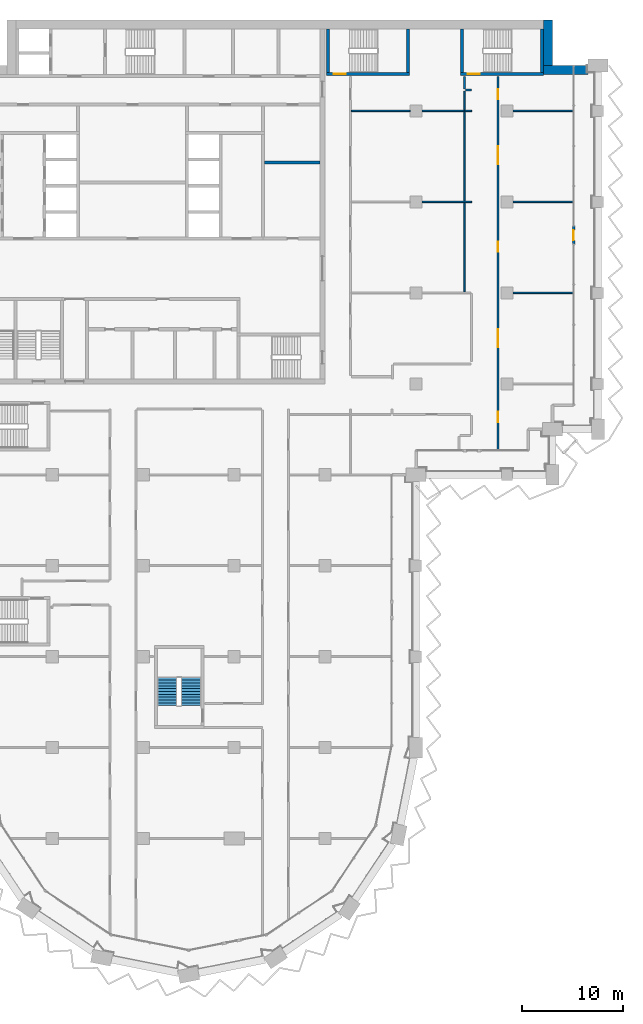
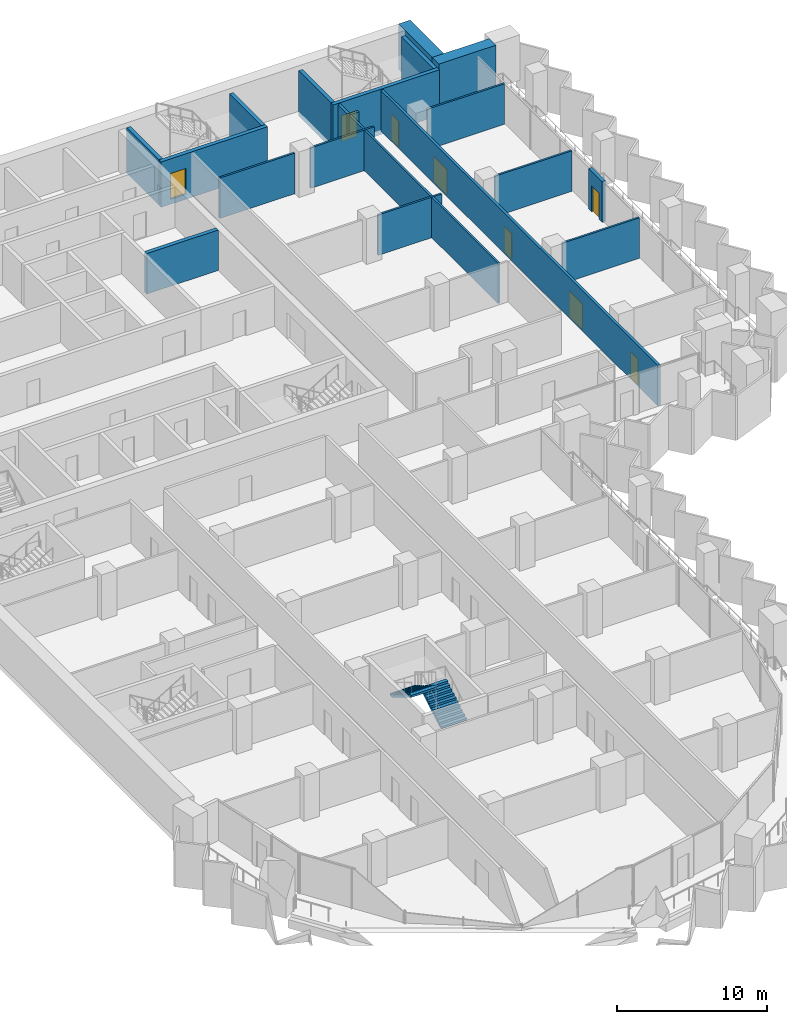
# One storey, part 14 of 22: 22 walls, 8 doors, 2 stair flights, 8 openings, 1 element without a shape of its own.
"""IFC4 building model written with IfcOpenShell, lengths in metres."""

from ifc_helpers import new_model, si_unit, direction, frame, frame_2d, origin, place, context, subcontext, project, spatial, polyline, rectangle, outline, extrude, material, layer, layer_set, type_object, element, fill, aggregate, save


model = new_model("IFC4")

# Units and contexts
model_context = context("Model", 3, precision=1e-05, world=origin(), true_north=direction((0.0, 1.0)))
body_context = subcontext(model_context, "Body", "Model", "MODEL_VIEW")
ifc_project = project(units=[si_unit("LENGTHUNIT", "METRE"), si_unit("AREAUNIT", "SQUARE_METRE"), si_unit("VOLUMEUNIT", "CUBIC_METRE"), si_unit("PLANEANGLEUNIT", "RADIAN"), si_unit("MASSUNIT", "GRAM", prefix="KILO")], contexts=[model_context])

# Site, building, storey
site_placement = place(None, origin())
site = spatial("IfcSite", under=ifc_project, at=site_placement, CompositionType="ELEMENT")
building_placement = place(site_placement, origin())
building = spatial("IfcBuilding", under=site, at=building_placement, Name="Hunhe Ridgeline Campus", CompositionType="ELEMENT")
storey_placement = place(building_placement, frame((0.0, 0.0, 156.0)))
storey = spatial("IfcBuildingStorey", under=building, at=storey_placement, Name="L39", CompositionType="ELEMENT", Elevation=156.0)

# Walls
ifc_material_1 = material(Name="Masonry concrete blockwork", Category="masonry")
ifc_layer_1 = layer(ifc_material_1, 0.300048828125)
ifc_layer_set_1 = layer_set([ifc_layer_1], Name="Core room partition 300 concrete block")
wall_type_1 = type_object("IfcWallType", Name="Core room partition 300 concrete block", PredefinedType="PARTITIONING", material=ifc_layer_set_1)
wall_1_placement = place(storey_placement, frame((30.0, 84.89990234375, 0.0), z_axis=(0.0, 0.0, 1.0), x_axis=(1.0, 0.0, 0.0)))
element("IfcWall", 1, at=wall_1_placement, inside=storey, type_object=wall_type_1, Name="L39 core partition 21", PredefinedType="PARTITIONING", context=body_context, shape_type="SweptSolid", body=[
    extrude(rectangle(XDim=5.5, YDim=0.300048828125, at=frame_2d((2.75, 0.0))), origin(), (0.0, 0.0, 1.0), 3.300048828125),
])
ifc_material_2 = material(Name="Gypsum board partition")
ifc_layer_2 = layer(ifc_material_2, 0.199951171875)
ifc_layer_set_2 = layer_set([ifc_layer_2], Name="Corridor partition 200 gypsum board on steel studs")
wall_type_2 = type_object("IfcWallType", Name="Corridor partition 200 gypsum board on steel studs", PredefinedType="PARTITIONING", material=ifc_layer_set_2)
wall_2_placement = place(storey_placement, frame((50.5, 92.050048828125, 0.0), z_axis=(0.0, 0.0, 1.0), x_axis=(-1.0, 0.0, 0.0)))
element("IfcWall", 2, at=wall_2_placement, inside=storey, type_object=wall_type_2, Name="F-L39-wall-054", PredefinedType="PARTITIONING", context=body_context, shape_type="SweptSolid", body=[
    extrude(rectangle(XDim=0.60009765625, YDim=0.199951171875, at=frame_2d((0.300048828125, 0.0))), origin(), (0.0, 0.0, 1.0), 3.300048828125),
])
wall_3_placement = place(storey_placement, frame((49.800048828125, 92.14990234375, 0.0), z_axis=(0.0, 0.0, 1.0), x_axis=(0.0, 1.0, 0.0)))
element("IfcWall", 3, at=wall_3_placement, inside=storey, type_object=wall_type_2, Name="F-L39-wall-071", PredefinedType="PARTITIONING", context=body_context, shape_type="SweptSolid", body=[
    extrude(rectangle(XDim=1.24609375, YDim=0.199951171875, at=frame_2d((0.623046875, 0.0))), origin(), (0.0, 0.0, 1.0), 3.300048828125),
])

# Wall, openings, doors
wall_4_placement = place(storey_placement, frame((53.10009765625, 93.39599609375, 0.0), z_axis=(0.0, 0.0, 1.0), x_axis=(0.0, -1.0, 0.0)))
wall_4 = element("IfcWall", 4, at=wall_4_placement, inside=storey, type_object=wall_type_2, Name="F-L39-wall-074", PredefinedType="PARTITIONING", context=body_context, shape_type="SweptSolid", body=[
    extrude(rectangle(XDim=36.94091796875, YDim=0.199951171875, at=frame_2d((18.470458984375, 0.0))), origin(), (0.0, 0.0, 1.0), 3.300048828125),
])
opening_1_placement = place(wall_4_placement, frame((33.174072265625, 0.0, 0.0)))
opening_1 = element("IfcOpeningElement", 5, at=opening_1_placement, cuts=wall_4, Name="Opening RD1-026", PredefinedType="OPENING", context=body_context, shape_type="SweptSolid", body=[
    extrude(rectangle(XDim=1.0, YDim=2.10009765625, at=frame_2d((0.5, 1.050048828125))), frame((0.0, 0.10009765625, 0.0), z_axis=(0.0, -1.0, 0.0), x_axis=(1.0, 0.0, 0.0)), (0.0, 0.0, 1.0), 0.199951171875),
])
opening_2_placement = place(wall_4_placement, frame((24.98388671875, 0.0, 0.0)))
opening_2 = element("IfcOpeningElement", 6, at=opening_2_placement, cuts=wall_4, Name="Opening RD2-029", PredefinedType="OPENING", context=body_context, shape_type="SweptSolid", body=[
    extrude(rectangle(XDim=1.800048828125, YDim=2.10009765625, at=frame_2d((0.89990234375, 1.050048828125))), frame((0.0, 0.10009765625, 0.0), z_axis=(0.0, -1.0, 0.0), x_axis=(1.0, 0.0, 0.0)), (0.0, 0.0, 1.0), 0.199951171875),
])
opening_3_placement = place(wall_4_placement, frame((16.337158203125, 0.0, 0.0)))
opening_3 = element("IfcOpeningElement", 7, at=opening_3_placement, cuts=wall_4, Name="Opening RD1-033", PredefinedType="OPENING", context=body_context, shape_type="SweptSolid", body=[
    extrude(rectangle(XDim=1.0, YDim=2.10009765625, at=frame_2d((0.5, 1.050048828125))), frame((0.0, 0.10009765625, 0.0), z_axis=(0.0, -1.0, 0.0), x_axis=(1.0, 0.0, 0.0)), (0.0, 0.0, 1.0), 0.199951171875),
])
opening_4_placement = place(wall_4_placement, frame((6.890380859375, 0.0, 0.0)))
opening_4 = element("IfcOpeningElement", 8, at=opening_4_placement, cuts=wall_4, Name="Opening RD2-036", PredefinedType="OPENING", context=body_context, shape_type="SweptSolid", body=[
    extrude(rectangle(XDim=1.800048828125, YDim=2.10009765625, at=frame_2d((0.89990234375, 1.050048828125))), frame((0.0, 0.10009765625, 0.0), z_axis=(0.0, -1.0, 0.0), x_axis=(1.0, 0.0, 0.0)), (0.0, 0.0, 1.0), 0.199951171875),
])
opening_5_placement = place(wall_4_placement, frame((1.259033203125, 0.0, 0.0)))
opening_5 = element("IfcOpeningElement", 9, at=opening_5_placement, cuts=wall_4, Name="Opening RD1-038", PredefinedType="OPENING", context=body_context, shape_type="SweptSolid", body=[
    extrude(rectangle(XDim=1.0, YDim=2.10009765625, at=frame_2d((0.5, 1.050048828125))), frame((0.0, 0.10009765625, 0.0), z_axis=(0.0, -1.0, 0.0), x_axis=(1.0, 0.0, 0.0)), (0.0, 0.0, 1.0), 0.199951171875),
])
ifc_material_3 = material(Name="Timber door leaf", Category="wood")
door_type_1 = type_object("IfcDoorType", Name="Double fire door 1800x2100 timber FD60", OperationType="DOUBLE_DOOR_SINGLE_SWING", PredefinedType="DOOR", material=ifc_material_3)
door_1_placement = place(opening_2_placement, origin())
door_1 = element("IfcDoor", 10, at=door_1_placement, inside=storey, type_object=door_type_1, Name="F-L39-door-029", OperationType="DOUBLE_DOOR_SINGLE_SWING", OverallHeight=2.10009765625, OverallWidth=1.800048828125, PredefinedType="DOOR", context=body_context, shape_type="SweptSolid", body=[
    extrude(rectangle(XDim=1.800048828125, YDim=2.10009765625, at=frame_2d((0.89990234375, 1.050048828125))), frame((0.0, 0.02490234375, 0.0), z_axis=(0.0, -1.0, 0.0), x_axis=(1.0, 0.0, 0.0)), (0.0, 0.0, 1.0), 0.050048828125),
])
fill(opening_2, door_1)
door_2_placement = place(opening_4_placement, origin())
door_2 = element("IfcDoor", 11, at=door_2_placement, inside=storey, type_object=door_type_1, Name="F-L39-door-036", OperationType="DOUBLE_DOOR_SINGLE_SWING", OverallHeight=2.10009765625, OverallWidth=1.800048828125, PredefinedType="DOOR", context=body_context, shape_type="SweptSolid", body=[
    extrude(rectangle(XDim=1.800048828125, YDim=2.10009765625, at=frame_2d((0.89990234375, 1.050048828125))), frame((0.0, 0.02490234375, 0.0), z_axis=(0.0, -1.0, 0.0), x_axis=(1.0, 0.0, 0.0)), (0.0, 0.0, 1.0), 0.050048828125),
])
fill(opening_4, door_2)
door_type_2 = type_object("IfcDoorType", Name="Single fire door 1000x2100 timber FD60", OperationType="NOTDEFINED", PredefinedType="DOOR", material=ifc_material_3)
door_3_placement = place(opening_1_placement, origin())
door_3 = element("IfcDoor", 12, at=door_3_placement, inside=storey, type_object=door_type_2, Name="F-L39-door-026", OperationType="SINGLE_SWING_LEFT", OverallHeight=2.10009765625, OverallWidth=1.0, PredefinedType="DOOR", context=body_context, shape_type="SweptSolid", body=[
    extrude(rectangle(XDim=1.0, YDim=2.10009765625, at=frame_2d((0.5, 1.050048828125))), frame((0.0, 0.02490234375, 0.0), z_axis=(0.0, -1.0, 0.0), x_axis=(1.0, 0.0, 0.0)), (0.0, 0.0, 1.0), 0.050048828125),
])
fill(opening_1, door_3)
door_4_placement = place(opening_3_placement, origin())
door_4 = element("IfcDoor", 13, at=door_4_placement, inside=storey, type_object=door_type_2, Name="F-L39-door-033", OperationType="SINGLE_SWING_LEFT", OverallHeight=2.10009765625, OverallWidth=1.0, PredefinedType="DOOR", context=body_context, shape_type="SweptSolid", body=[
    extrude(rectangle(XDim=1.0, YDim=2.10009765625, at=frame_2d((0.5, 1.050048828125))), frame((0.0, 0.02490234375, 0.0), z_axis=(0.0, -1.0, 0.0), x_axis=(1.0, 0.0, 0.0)), (0.0, 0.0, 1.0), 0.050048828125),
])
fill(opening_3, door_4)
door_5_placement = place(opening_5_placement, origin())
door_5 = element("IfcDoor", 14, at=door_5_placement, inside=storey, type_object=door_type_2, Name="F-L39-door-038", OperationType="SINGLE_SWING_LEFT", OverallHeight=2.10009765625, OverallWidth=1.0, PredefinedType="DOOR", context=body_context, shape_type="SweptSolid", body=[
    extrude(rectangle(XDim=1.0, YDim=2.10009765625, at=frame_2d((0.5, 1.050048828125))), frame((0.0, 0.02490234375, 0.0), z_axis=(0.0, -1.0, 0.0), x_axis=(1.0, 0.0, 0.0)), (0.0, 0.0, 1.0), 0.050048828125),
])
fill(opening_5, door_5)

# Wall, opening, door
ifc_material_4 = material(Name="Concrete C30", Category="concrete")
ifc_layer_3 = layer(ifc_material_4, 0.25)
ifc_layer_set_3 = layer_set([ifc_layer_3], Name="Loggia door pier wall 250 Concrete C30")
wall_type_3 = type_object("IfcWallType", Name="Loggia door pier wall 250 Concrete C30", PredefinedType="SOLIDWALL", material=ifc_layer_set_3)
wall_5_placement = place(storey_placement, frame((60.59912109375, 76.800537109375, 0.0), z_axis=(0.0, 0.0, 1.0), x_axis=(0.0, 1.0, 0.0)))
wall_5 = element("IfcWall", 15, at=wall_5_placement, inside=storey, type_object=wall_type_3, Name="Loggia door pier 5", PredefinedType="SOLIDWALL", context=body_context, shape_type="SweptSolid", body=[
    extrude(rectangle(XDim=1.800048828125, YDim=0.25, at=frame_2d((0.89990234375, 0.0))), origin(), (0.0, 0.0, 1.0), 3.300048828125),
])
opening_6_placement = place(wall_5_placement, frame((0.39990234375, 0.0, 0.0)))
opening_6 = element("IfcOpeningElement", 16, at=opening_6_placement, cuts=wall_5, Name="Opening BD307", PredefinedType="OPENING", context=body_context, shape_type="SweptSolid", body=[
    extrude(rectangle(XDim=1.0, YDim=2.10009765625, at=frame_2d((0.5, 1.050048828125))), frame((0.0, 0.125, 0.0), z_axis=(0.0, -1.0, 0.0), x_axis=(1.0, 0.0, 0.0)), (0.0, 0.0, 1.0), 0.25),
])
ifc_material_5 = material(Name="Aluminium 6063", Category="aluminium")
door_type_3 = type_object("IfcDoorType", Name="Loggia glazed door 1000x2100", OperationType="NOTDEFINED", PredefinedType="DOOR", material=ifc_material_5)
door_6_placement = place(opening_6_placement, frame((1.0, 0.0, 0.0), z_axis=(0.0, 0.0, 1.0), x_axis=(-1.0, 0.0, 0.0)))
door_6 = element("IfcDoor", 17, at=door_6_placement, inside=storey, type_object=door_type_3, Name="Loggia door BD307", OperationType="SINGLE_SWING_RIGHT", OverallHeight=2.10009765625, OverallWidth=1.0, PredefinedType="DOOR", context=body_context, shape_type="SweptSolid", body=[
    extrude(rectangle(XDim=1.0, YDim=2.10009765625, at=frame_2d((0.5, 1.050048828125))), frame((0.0, 0.02490234375, 0.0), z_axis=(0.0, -1.0, 0.0), x_axis=(1.0, 0.0, 0.0)), (0.0, 0.0, 1.0), 0.050048828125),
])
fill(opening_6, door_6)

# Walls
ifc_layer_4 = layer(ifc_material_2, 0.14990234375)
ifc_layer_set_4 = layer_set([ifc_layer_4], Name="Room partition 150 gypsum board on steel studs")
wall_type_4 = type_object("IfcWallType", Name="Room partition 150 gypsum board on steel studs", PredefinedType="PARTITIONING", material=ifc_layer_set_4)
wall_6_placement = place(storey_placement, frame((54.60009765625, 72.0, 0.0), z_axis=(0.0, 0.0, 1.0), x_axis=(1.0, 0.0, 0.0)))
element("IfcWall", 18, at=wall_6_placement, inside=storey, type_object=wall_type_4, Name="F-L39-wall-047", PredefinedType="PARTITIONING", context=body_context, shape_type="SweptSolid", body=[
    extrude(rectangle(XDim=5.94482421875, YDim=0.14990234375, at=frame_2d((2.972412109375, 0.0))), origin(), (0.0, 0.0, 1.0), 3.300048828125),
])
wall_7_placement = place(storey_placement, frame((45.60009765625, 81.0, 0.0), z_axis=(0.0, 0.0, 1.0), x_axis=(1.0, 0.0, 0.0)))
element("IfcWall", 19, at=wall_7_placement, inside=storey, type_object=wall_type_4, Name="F-L39-wall-049", PredefinedType="PARTITIONING", context=body_context, shape_type="SweptSolid", body=[
    extrude(rectangle(XDim=4.89990234375, YDim=0.14990234375, at=frame_2d((2.449951171875, 0.0))), origin(), (0.0, 0.0, 1.0), 3.300048828125),
])
wall_8_placement = place(storey_placement, frame((54.60009765625, 81.0, 0.0), z_axis=(0.0, 0.0, 1.0), x_axis=(1.0, 0.0, 0.0)))
element("IfcWall", 20, at=wall_8_placement, inside=storey, type_object=wall_type_4, Name="F-L39-wall-050", PredefinedType="PARTITIONING", context=body_context, shape_type="SweptSolid", body=[
    extrude(rectangle(XDim=5.94482421875, YDim=0.14990234375, at=frame_2d((2.972412109375, 0.0))), origin(), (0.0, 0.0, 1.0), 3.300048828125),
])
wall_9_placement = place(storey_placement, frame((38.60009765625, 90.0, 0.0), z_axis=(0.0, 0.0, 1.0), x_axis=(1.0, 0.0, 0.0)))
element("IfcWall", 21, at=wall_9_placement, inside=storey, type_object=wall_type_4, Name="F-L39-wall-051", PredefinedType="PARTITIONING", context=body_context, shape_type="SweptSolid", body=[
    extrude(rectangle(XDim=5.7998046875, YDim=0.14990234375, at=frame_2d((2.89990234375, 0.0))), origin(), (0.0, 0.0, 1.0), 3.300048828125),
])
wall_10_placement = place(storey_placement, frame((45.60009765625, 90.0, 0.0), z_axis=(0.0, 0.0, 1.0), x_axis=(1.0, 0.0, 0.0)))
element("IfcWall", 22, at=wall_10_placement, inside=storey, type_object=wall_type_4, Name="F-L39-wall-052", PredefinedType="PARTITIONING", context=body_context, shape_type="SweptSolid", body=[
    extrude(rectangle(XDim=4.89990234375, YDim=0.14990234375, at=frame_2d((2.449951171875, 0.0))), origin(), (0.0, 0.0, 1.0), 3.300048828125),
])
wall_11_placement = place(storey_placement, frame((54.60009765625, 90.0, 0.0), z_axis=(0.0, 0.0, 1.0), x_axis=(1.0, 0.0, 0.0)))
element("IfcWall", 23, at=wall_11_placement, inside=storey, type_object=wall_type_4, Name="F-L39-wall-053", PredefinedType="PARTITIONING", context=body_context, shape_type="SweptSolid", body=[
    extrude(rectangle(XDim=5.94482421875, YDim=0.14990234375, at=frame_2d((2.972412109375, 0.0))), origin(), (0.0, 0.0, 1.0), 3.300048828125),
])
for number, where, z_axis, x_axis, name in (
    (24, (49.800048828125, 80.925048828125, 0.0), (0.0, 0.0, 1.0), (0.0, -1.0, 0.0), "F-L39-wall-068"),
    (25, (49.800048828125, 89.925048828125, 0.0), (0.0, 0.0, 1.0), (0.0, -1.0, 0.0), "F-L39-wall-069"),
):
    element("IfcWall", number, at=place(storey_placement, frame(where, z_axis=z_axis, x_axis=x_axis)), inside=storey, type_object=wall_type_4, Name=name, PredefinedType="PARTITIONING", context=body_context, shape_type="SweptSolid", body=[
        extrude(rectangle(XDim=8.85009765625, YDim=0.14990234375, at=frame_2d((4.425048828125, 0.0))), origin(), (0.0, 0.0, 1.0), 3.300048828125),
    ])
wall_12_placement = place(storey_placement, frame((49.800048828125, 91.949951171875, 0.0), z_axis=(0.0, 0.0, 1.0), x_axis=(0.0, -1.0, 0.0)))
element("IfcWall", 26, at=wall_12_placement, inside=storey, type_object=wall_type_4, Name="F-L39-wall-070", PredefinedType="PARTITIONING", context=body_context, shape_type="SweptSolid", body=[
    extrude(rectangle(XDim=1.875, YDim=0.14990234375, at=frame_2d((0.9375, 0.0))), origin(), (0.0, 0.0, 1.0), 3.300048828125),
])
ifc_material_6 = material(Name="Concrete C70", Category="concrete")
ifc_layer_5 = layer(ifc_material_6, 0.89990234375)
ifc_layer_set_5 = layer_set([ifc_layer_5], Name="Spine wall 900 Concrete C70")
wall_type_5 = type_object("IfcWallType", Name="Spine wall 900 Concrete C70", PredefinedType="SHEAR", material=ifc_layer_set_5)
wall_13_placement = place(storey_placement, frame((62.0, 94.050048828125, 0.0), z_axis=(0.0, 0.0, 1.0), x_axis=(-1.0, 0.0, 0.0)))
element("IfcWall", 27, at=wall_13_placement, inside=storey, type_object=wall_type_5, Name="Spine wall SW2-2 L39", PredefinedType="SHEAR", context=body_context, shape_type="SweptSolid", body=[
    extrude(rectangle(XDim=4.400390625, YDim=0.89990234375, at=frame_2d((2.2001953125, 0.0))), origin(), (0.0, 0.0, 1.0), 3.699951171875),
])
wall_14_placement = place(storey_placement, frame((58.050048828125, 93.60009765625, 0.0), z_axis=(0.0, 0.0, 1.0), x_axis=(0.0, 1.0, 0.0)))
element("IfcWall", 28, at=wall_14_placement, inside=storey, type_object=wall_type_5, Name="Spine wall SW2-3 L39", PredefinedType="SHEAR", context=body_context, shape_type="SweptSolid", body=[
    extrude(rectangle(XDim=5.39990234375, YDim=0.89990234375, at=frame_2d((2.699951171875, 0.0))), origin(), (0.0, 0.0, 1.0), 3.699951171875),
])

# Wall, opening, door
ifc_layer_6 = layer(ifc_material_6, 0.300048828125)
ifc_layer_set_6 = layer_set([ifc_layer_6], Name="Stair wall 300 reinforced concrete C70")
wall_type_6 = type_object("IfcWallType", Name="Stair wall 300 reinforced concrete C70", PredefinedType="SOLIDWALL", material=ifc_layer_set_6)
wall_15_placement = place(storey_placement, frame((36.14990234375, 93.64990234375, -0.39990234375), z_axis=(0.0, 0.0, 1.0), x_axis=(1.0, 0.0, 0.0)))
wall_15 = element("IfcWall", 29, at=wall_15_placement, inside=storey, type_object=wall_type_6, Name="L39 core wall 29", PredefinedType="SOLIDWALL", context=body_context, shape_type="SweptSolid", body=[
    extrude(rectangle(XDim=8.2001953125, YDim=0.300048828125, at=frame_2d((4.10009765625, 0.0))), origin(), (0.0, 0.0, 1.0), 3.699951171875),
])
opening_7_placement = place(wall_15_placement, frame((0.699951171875, 0.0, 0.39990234375)))
opening_7 = element("IfcOpeningElement", 30, at=opening_7_placement, cuts=wall_15, Name="Opening CD17", PredefinedType="OPENING", context=body_context, shape_type="SweptSolid", body=[
    extrude(rectangle(XDim=1.199951171875, YDim=2.10009765625, at=frame_2d((0.60009765625, 1.050048828125))), frame((0.0, 0.14990234375, 0.0), z_axis=(0.0, -1.0, 0.0), x_axis=(1.0, 0.0, 0.0)), (0.0, 0.0, 1.0), 0.300048828125),
])
ifc_material_7 = material(Name="Hollow metal fire door leaf")
door_type_4 = type_object("IfcDoorType", Name="Stair door 1200x2100 FD60", OperationType="SINGLE_SWING_LEFT", PredefinedType="DOOR", material=ifc_material_7)
door_7_placement = place(opening_7_placement, frame((1.199951171875, 0.0, 0.0), z_axis=(0.0, 0.0, 1.0), x_axis=(-1.0, 0.0, 0.0)))
door_7 = element("IfcDoor", 31, at=door_7_placement, inside=storey, type_object=door_type_4, Name="L39 door E1", OperationType="SINGLE_SWING_RIGHT", OverallHeight=2.10009765625, OverallWidth=1.199951171875, PredefinedType="DOOR", context=body_context, shape_type="SweptSolid", body=[
    extrude(rectangle(XDim=1.199951171875, YDim=2.10009765625, at=frame_2d((0.60009765625, 1.050048828125))), frame((0.0, 0.02490234375, 0.0), z_axis=(0.0, -1.0, 0.0), x_axis=(1.0, 0.0, 0.0)), (0.0, 0.0, 1.0), 0.050048828125),
])
fill(opening_7, door_7)

wall_16_placement = place(storey_placement, frame((49.39990234375, 93.64990234375, -0.39990234375), z_axis=(0.0, 0.0, 1.0), x_axis=(1.0, 0.0, 0.0)))
wall_16 = element("IfcWall", 32, at=wall_16_placement, inside=storey, type_object=wall_type_6, Name="L39 core wall 30", PredefinedType="SOLIDWALL", context=body_context, shape_type="SweptSolid", body=[
    extrude(rectangle(XDim=8.2001953125, YDim=0.300048828125, at=frame_2d((4.10009765625, 0.0))), origin(), (0.0, 0.0, 1.0), 3.699951171875),
])
opening_8_placement = place(wall_16_placement, frame((0.699951171875, 0.0, 0.39990234375)))
opening_8 = element("IfcOpeningElement", 33, at=opening_8_placement, cuts=wall_16, Name="Opening CD18", PredefinedType="OPENING", context=body_context, shape_type="SweptSolid", body=[
    extrude(rectangle(XDim=1.199951171875, YDim=2.10009765625, at=frame_2d((0.60009765625, 1.050048828125))), frame((0.0, 0.14990234375, 0.0), z_axis=(0.0, -1.0, 0.0), x_axis=(1.0, 0.0, 0.0)), (0.0, 0.0, 1.0), 0.300048828125),
])
door_8_placement = place(opening_8_placement, frame((1.199951171875, 0.0, 0.0), z_axis=(0.0, 0.0, 1.0), x_axis=(-1.0, 0.0, 0.0)))
door_8 = element("IfcDoor", 34, at=door_8_placement, inside=storey, type_object=door_type_4, Name="L39 door E2", OperationType="SINGLE_SWING_LEFT", OverallHeight=2.10009765625, OverallWidth=1.199951171875, PredefinedType="DOOR", context=body_context, shape_type="SweptSolid", body=[
    extrude(rectangle(XDim=1.199951171875, YDim=2.10009765625, at=frame_2d((0.60009765625, 1.050048828125))), frame((0.0, 0.02490234375, 0.0), z_axis=(0.0, -1.0, 0.0), x_axis=(1.0, 0.0, 0.0)), (0.0, 0.0, 1.0), 0.050048828125),
])
fill(opening_8, door_8)

# Walls
for number, where, z_axis, x_axis, name in (
    (35, (36.300048828125, 93.800048828125, -0.39990234375), (0.0, 0.0, 1.0), (0.0, 1.0, 0.0), "L39 core wall 60"),
    (36, (44.199951171875, 93.800048828125, -0.39990234375), (0.0, 0.0, 1.0), (0.0, 1.0, 0.0), "L39 core wall 61"),
    (37, (49.550048828125, 93.800048828125, -0.39990234375), (0.0, 0.0, 1.0), (0.0, 1.0, 0.0), "L39 core wall 62"),
    (38, (57.449951171875, 93.800048828125, -0.39990234375), (0.0, 0.0, 1.0), (0.0, 1.0, 0.0), "L39 core wall 63"),
):
    element("IfcWall", number, at=place(storey_placement, frame(where, z_axis=z_axis, x_axis=x_axis)), inside=storey, type_object=wall_type_6, Name=name, PredefinedType="SOLIDWALL", context=body_context, shape_type="SweptSolid", body=[
        extrude(rectangle(XDim=4.300048828125, YDim=0.300048828125, at=frame_2d((2.14990234375, 0.0))), origin(), (0.0, 0.0, 1.0), 3.699951171875),
    ])

# Stair, stair flights
ifc_material_8 = material(Name="Concrete C40", Category="concrete")
stair_type = type_object("IfcStairType", Name="Reinforced concrete dog-leg stair 1950 Concrete C40", PredefinedType="HALF_TURN_STAIR", material=ifc_material_8)
stair_placement = place(storey_placement, origin())
stair = element("IfcStair", 39, at=stair_placement, inside=storey, type_object=stair_type, Name="L39 W3", PredefinedType="HALF_TURN_STAIR")
stair_flight_type = type_object("IfcStairFlightType", Name="Reinforced concrete stair flight 1950 Concrete C40", PredefinedType="STRAIGHT", material=ifc_material_8)
stair_flight_1_placement = place(storey_placement, frame((22.72509765625, 31.14990234375, 0.0), z_axis=(0.0, 0.0, 1.0), x_axis=(0.0, 1.0, 0.0)))
stair_flight_1 = element("IfcStairFlight", 40, at=stair_flight_1_placement, type_object=stair_flight_type, Name="ST9 flight 1", NumberOfRisers=11, NumberOfTreads=10, PredefinedType="STRAIGHT", RiserHeight=0.168181818, TreadLength=0.28, context=body_context, shape_type="SweptSolid", body=[
    extrude(outline(polyline([(0.0, 0.0), (0.0, 0.168212890625), (0.280029296875, 0.168212890625), (0.280029296875, 0.33642578125), (0.56005859375, 0.33642578125), (0.56005859375, 0.504638671875), (0.840087890625, 0.504638671875), (0.840087890625, 0.672607421875), (1.1201171875, 0.672607421875), (1.1201171875, 0.8408203125), (1.39990234375, 0.8408203125), (1.39990234375, 1.009033203125), (1.679931640625, 1.009033203125), (1.679931640625, 1.17724609375), (1.9599609375, 1.17724609375), (1.9599609375, 1.345458984375), (2.239990234375, 1.345458984375), (2.239990234375, 1.513671875), (2.52001953125, 1.513671875), (2.52001953125, 1.681884765625), (2.800048828125, 1.681884765625), (2.800048828125, 1.85009765625), (2.800048828125, 1.5068359375), (0.291015625, 0.0), (0.0, 0.0)])), frame((0.0, 0.97509765625, 0.0), z_axis=(0.0, -1.0, 0.0), x_axis=(1.0, 0.0, 0.0)), (0.0, 0.0, 1.0), 1.949951171875),
    extrude(outline(polyline([(0.030029296875, 0.030029296875), (0.030029296875, 0.13818359375), (0.31005859375, 0.13818359375), (0.31005859375, 0.306396484375), (0.590087890625, 0.306396484375), (0.590087890625, 0.474609375), (0.8701171875, 0.474609375), (0.8701171875, 0.642578125), (1.14990234375, 0.642578125), (1.14990234375, 0.810791015625), (1.429931640625, 0.810791015625), (1.429931640625, 0.97900390625), (1.7099609375, 0.97900390625), (1.7099609375, 1.147216796875), (1.989990234375, 1.147216796875), (1.989990234375, 1.3154296875), (2.27001953125, 1.3154296875), (2.27001953125, 1.483642578125), (2.550048828125, 1.483642578125), (2.550048828125, 1.65185546875), (2.77001953125, 1.65185546875), (2.77001953125, 1.52392578125), (0.28271484375, 0.030029296875), (0.030029296875, 0.030029296875)])), frame((0.0, -0.070068359375, 0.0), z_axis=(0.0, -1.0, 0.0), x_axis=(1.0, 0.0, 0.0)), (0.0, 0.0, 1.0), 0.019775390625),
    extrude(outline(polyline([(0.030029296875, 0.030029296875), (0.030029296875, 0.13818359375), (0.31005859375, 0.13818359375), (0.31005859375, 0.306396484375), (0.590087890625, 0.306396484375), (0.590087890625, 0.474609375), (0.8701171875, 0.474609375), (0.8701171875, 0.642578125), (1.14990234375, 0.642578125), (1.14990234375, 0.810791015625), (1.429931640625, 0.810791015625), (1.429931640625, 0.97900390625), (1.7099609375, 0.97900390625), (1.7099609375, 1.147216796875), (1.989990234375, 1.147216796875), (1.989990234375, 1.3154296875), (2.27001953125, 1.3154296875), (2.27001953125, 1.483642578125), (2.550048828125, 1.483642578125), (2.550048828125, 1.65185546875), (2.77001953125, 1.65185546875), (2.77001953125, 1.52392578125), (0.28271484375, 0.030029296875), (0.030029296875, 0.030029296875)])), frame((0.0, 0.010009765625, 0.0), z_axis=(0.0, -1.0, 0.0), x_axis=(1.0, 0.0, 0.0)), (0.0, 0.0, 1.0), 0.019775390625),
    extrude(outline(polyline([(0.030029296875, 0.030029296875), (0.030029296875, 0.13818359375), (0.31005859375, 0.13818359375), (0.31005859375, 0.306396484375), (0.590087890625, 0.306396484375), (0.590087890625, 0.474609375), (0.8701171875, 0.474609375), (0.8701171875, 0.642578125), (1.14990234375, 0.642578125), (1.14990234375, 0.810791015625), (1.429931640625, 0.810791015625), (1.429931640625, 0.97900390625), (1.7099609375, 0.97900390625), (1.7099609375, 1.147216796875), (1.989990234375, 1.147216796875), (1.989990234375, 1.3154296875), (2.27001953125, 1.3154296875), (2.27001953125, 1.483642578125), (2.550048828125, 1.483642578125), (2.550048828125, 1.65185546875), (2.77001953125, 1.65185546875), (2.77001953125, 1.52392578125), (0.28271484375, 0.030029296875), (0.030029296875, 0.030029296875)])), frame((0.0, 0.090087890625, 0.0), z_axis=(0.0, -1.0, 0.0), x_axis=(1.0, 0.0, 0.0)), (0.0, 0.0, 1.0), 0.019775390625),
])
stair_flight_2_placement = place(storey_placement, frame((20.375, 33.949951171875, 1.85009765625), z_axis=(0.0, 0.0, 1.0), x_axis=(0.0, -1.0, 0.0)))
stair_flight_2 = element("IfcStairFlight", 41, at=stair_flight_2_placement, type_object=stair_flight_type, Name="ST9 flight 2", NumberOfRisers=11, NumberOfTreads=10, PredefinedType="STRAIGHT", RiserHeight=0.168181818, TreadLength=0.28, context=body_context, shape_type="SweptSolid", body=[
    extrude(outline(polyline([(0.0, 0.0), (0.0, 0.168212890625), (0.280029296875, 0.168212890625), (0.280029296875, 0.33642578125), (0.56005859375, 0.33642578125), (0.56005859375, 0.504638671875), (0.840087890625, 0.504638671875), (0.840087890625, 0.672607421875), (1.1201171875, 0.672607421875), (1.1201171875, 0.8408203125), (1.39990234375, 0.8408203125), (1.39990234375, 1.009033203125), (1.679931640625, 1.009033203125), (1.679931640625, 1.17724609375), (1.9599609375, 1.17724609375), (1.9599609375, 1.345458984375), (2.239990234375, 1.345458984375), (2.239990234375, 1.513671875), (2.52001953125, 1.513671875), (2.52001953125, 1.681884765625), (2.800048828125, 1.681884765625), (2.800048828125, 1.85009765625), (2.800048828125, 1.5068359375), (0.291015625, 0.0), (0.0, 0.0)])), frame((0.0, 0.97509765625, 0.0), z_axis=(0.0, -1.0, 0.0), x_axis=(1.0, 0.0, 0.0)), (0.0, 0.0, 1.0), 1.949951171875),
    extrude(outline(polyline([(0.030029296875, 0.030029296875), (0.030029296875, 0.13818359375), (0.31005859375, 0.13818359375), (0.31005859375, 0.306396484375), (0.590087890625, 0.306396484375), (0.590087890625, 0.474609375), (0.8701171875, 0.474609375), (0.8701171875, 0.642578125), (1.14990234375, 0.642578125), (1.14990234375, 0.810791015625), (1.429931640625, 0.810791015625), (1.429931640625, 0.97900390625), (1.7099609375, 0.97900390625), (1.7099609375, 1.147216796875), (1.989990234375, 1.147216796875), (1.989990234375, 1.3154296875), (2.27001953125, 1.3154296875), (2.27001953125, 1.483642578125), (2.550048828125, 1.483642578125), (2.550048828125, 1.65185546875), (2.77001953125, 1.65185546875), (2.77001953125, 1.52392578125), (0.28271484375, 0.030029296875), (0.030029296875, 0.030029296875)])), frame((0.0, -0.070068359375, 0.0), z_axis=(0.0, -1.0, 0.0), x_axis=(1.0, 0.0, 0.0)), (0.0, 0.0, 1.0), 0.019775390625),
    extrude(outline(polyline([(0.030029296875, 0.030029296875), (0.030029296875, 0.13818359375), (0.31005859375, 0.13818359375), (0.31005859375, 0.306396484375), (0.590087890625, 0.306396484375), (0.590087890625, 0.474609375), (0.8701171875, 0.474609375), (0.8701171875, 0.642578125), (1.14990234375, 0.642578125), (1.14990234375, 0.810791015625), (1.429931640625, 0.810791015625), (1.429931640625, 0.97900390625), (1.7099609375, 0.97900390625), (1.7099609375, 1.147216796875), (1.989990234375, 1.147216796875), (1.989990234375, 1.3154296875), (2.27001953125, 1.3154296875), (2.27001953125, 1.483642578125), (2.550048828125, 1.483642578125), (2.550048828125, 1.65185546875), (2.77001953125, 1.65185546875), (2.77001953125, 1.52392578125), (0.28271484375, 0.030029296875), (0.030029296875, 0.030029296875)])), frame((0.0, 0.010009765625, 0.0), z_axis=(0.0, -1.0, 0.0), x_axis=(1.0, 0.0, 0.0)), (0.0, 0.0, 1.0), 0.019775390625),
    extrude(outline(polyline([(0.030029296875, 0.030029296875), (0.030029296875, 0.13818359375), (0.31005859375, 0.13818359375), (0.31005859375, 0.306396484375), (0.590087890625, 0.306396484375), (0.590087890625, 0.474609375), (0.8701171875, 0.474609375), (0.8701171875, 0.642578125), (1.14990234375, 0.642578125), (1.14990234375, 0.810791015625), (1.429931640625, 0.810791015625), (1.429931640625, 0.97900390625), (1.7099609375, 0.97900390625), (1.7099609375, 1.147216796875), (1.989990234375, 1.147216796875), (1.989990234375, 1.3154296875), (2.27001953125, 1.3154296875), (2.27001953125, 1.483642578125), (2.550048828125, 1.483642578125), (2.550048828125, 1.65185546875), (2.77001953125, 1.65185546875), (2.77001953125, 1.52392578125), (0.28271484375, 0.030029296875), (0.030029296875, 0.030029296875)])), frame((0.0, 0.090087890625, 0.0), z_axis=(0.0, -1.0, 0.0), x_axis=(1.0, 0.0, 0.0)), (0.0, 0.0, 1.0), 0.019775390625),
])
aggregate(stair, [stair_flight_1, stair_flight_2])

save(model, "model.ifc")
